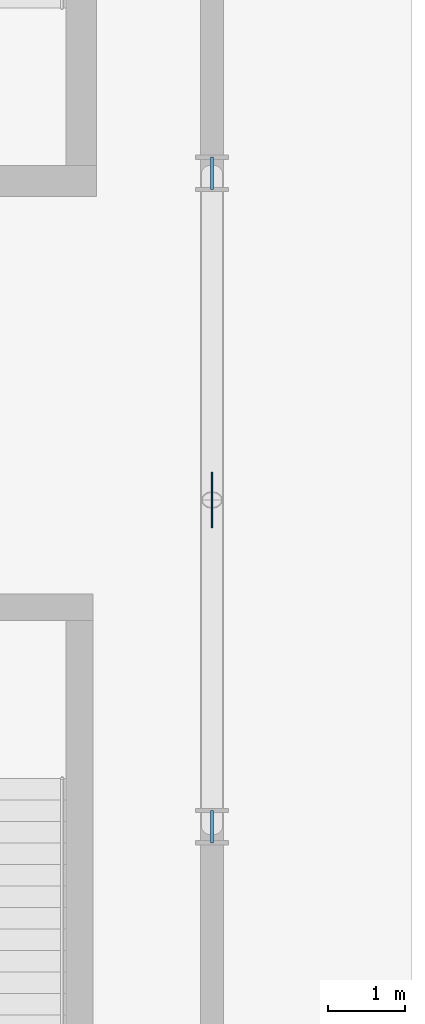
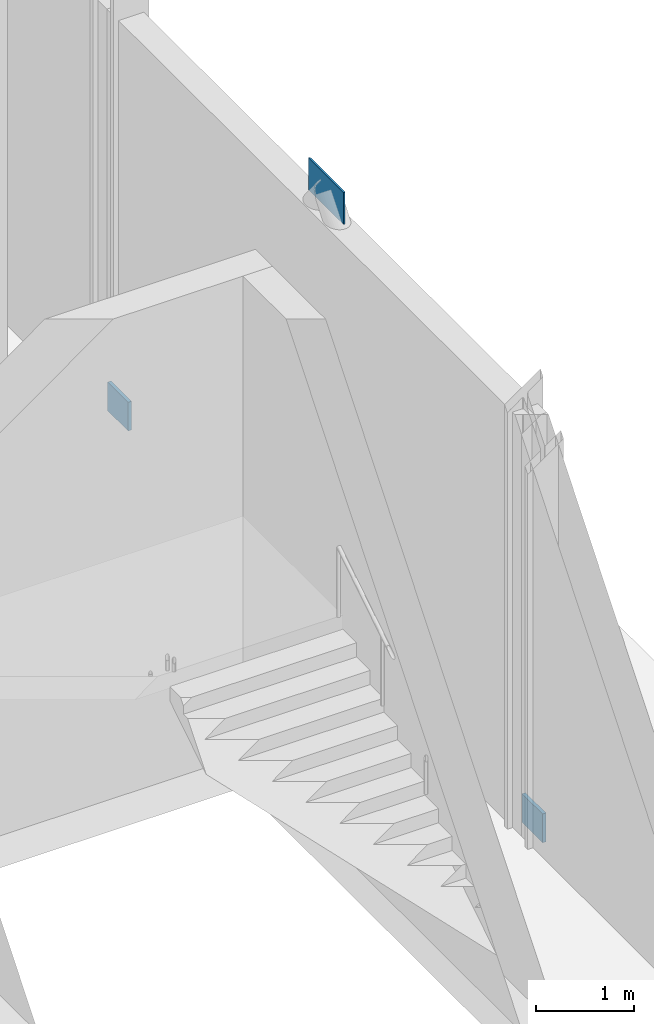
# One storey, part 54 of 84: 3 plates.
"""IFC4 building model written with IfcOpenShell, lengths in metres."""

from ifc_helpers import new_model, si_unit, direction, frame, origin, origin_2d, place, context, subcontext, project, spatial, rectangle, extrude, material, layer, layer_set, type_object, element, save


model = new_model("IFC4")

# Units and contexts
model_context = context("Model", 3, precision=1e-05, world=origin(), true_north=direction((0.0, 1.0)))
body_context = subcontext(model_context, "Body", "Model", "MODEL_VIEW")
ifc_project = project(units=[si_unit("LENGTHUNIT", "METRE"), si_unit("AREAUNIT", "SQUARE_METRE"), si_unit("VOLUMEUNIT", "CUBIC_METRE"), si_unit("PLANEANGLEUNIT", "RADIAN"), si_unit("MASSUNIT", "GRAM", prefix="KILO")], contexts=[model_context])

# Site, building, storey
site_placement = place(None, origin())
site = spatial("IfcSite", under=ifc_project, at=site_placement, CompositionType="ELEMENT")
building_placement = place(site_placement, origin())
building = spatial("IfcBuilding", under=site, at=building_placement, Name="Sefraquen Railside Congress Hotel", CompositionType="ELEMENT")
storey_placement = place(building_placement, origin())
storey = spatial("IfcBuildingStorey", under=building, at=storey_placement, Name="L00", CompositionType="ELEMENT", Elevation=0.0)

# Plates
ifc_material = material(Name="Steel S355J2", Category="steel")
ifc_layer_1 = layer(ifc_material, 0.02001953125)
ifc_layer_set_1 = layer_set([ifc_layer_1], Name="Steel S355J2")
plate_type_1 = type_object("IfcPlateType", Name="TP-GUS-01", PredefinedType="SHEET", material=ifc_layer_set_1)
plate_placement = place(storey_placement, frame((172.0, 75.25, 5.25), z_axis=(0.0, 0.0, 1.0), x_axis=(0.0, 1.0, 0.0)))
element("IfcPlate", 1, at=plate_placement, inside=storey, type_object=plate_type_1, Name="Chevron braced-frame apex gusset plate BF3 L00", PredefinedType="SHEET", context=body_context, shape_type="SweptSolid", body=[
    extrude(rectangle(XDim=0.719970703125, YDim=0.02001953125, at=origin_2d()), origin(), (0.0, 0.0, 1.0), 0.39990234375),
])
ifc_layer_2 = layer(ifc_material, 0.0400390625)
ifc_layer_set_2 = layer_set([ifc_layer_2], Name="Steel S355J2")
plate_type_2 = type_object("IfcPlateType", Name="TP-GUS-02", PredefinedType="SHEET", material=ifc_layer_set_2)
for number, where, z_axis, x_axis, name in (
    (2, (172.0, 71.0, 0.0), (0.0, 0.0, 1.0), (0.0, 1.0, 0.0), "Chevron braced-frame base gusset plate BF3-L L00"),
    (3, (172.0, 79.5, 0.0), (0.0, 0.0, 1.0), (0.0, 1.0, 0.0), "Chevron braced-frame base gusset plate BF3-R L00"),
):
    element("IfcPlate", number, at=place(storey_placement, frame(where, z_axis=z_axis, x_axis=x_axis)), inside=storey, type_object=plate_type_2, Name=name, PredefinedType="SHEET", context=body_context, shape_type="SweptSolid", body=[
        extrude(rectangle(XDim=0.419921875, YDim=0.0400390625, at=origin_2d()), origin(), (0.0, 0.0, 1.0), 0.360107421875),
    ])

save(model, "model.ifc")
